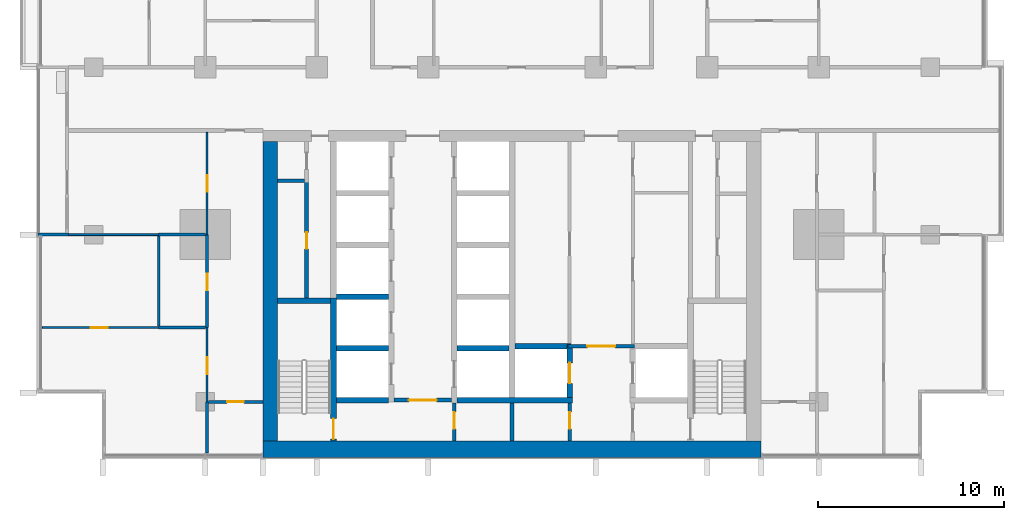
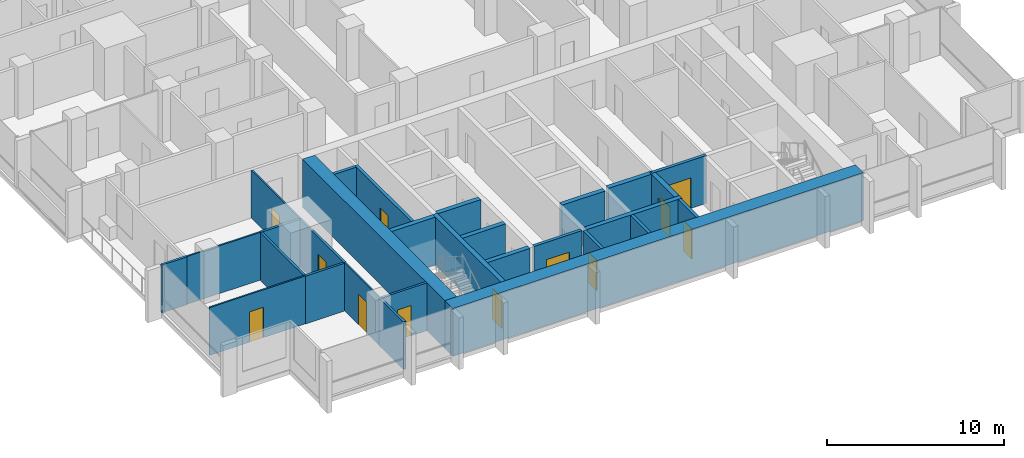
# One storey, part 7 of 19: 29 walls, 12 doors, 12 openings.
"""IFC4 building model written with IfcOpenShell, lengths in metres."""

from ifc_helpers import new_model, si_unit, direction, frame, frame_2d, origin, place, context, subcontext, project, spatial, rectangle, extrude, material, layer, layer_set, type_object, element, fill, save


model = new_model("IFC4")

# Units and contexts
model_context = context("Model", 3, precision=1e-05, world=origin(), true_north=direction((0.0, 1.0)))
body_context = subcontext(model_context, "Body", "Model", "MODEL_VIEW")
ifc_project = project(units=[si_unit("LENGTHUNIT", "METRE"), si_unit("AREAUNIT", "SQUARE_METRE"), si_unit("VOLUMEUNIT", "CUBIC_METRE"), si_unit("PLANEANGLEUNIT", "RADIAN"), si_unit("MASSUNIT", "GRAM", prefix="KILO")], contexts=[model_context])

# Site, building, storey
site_placement = place(None, origin())
site = spatial("IfcSite", under=ifc_project, at=site_placement, CompositionType="ELEMENT")
building_placement = place(site_placement, origin())
building = spatial("IfcBuilding", under=site, at=building_placement, Name="Finial Court Residences", CompositionType="ELEMENT")
storey_placement = place(building_placement, frame((0.0, 0.0, 88.300048828125)))
storey = spatial("IfcBuildingStorey", under=building, at=storey_placement, Name="L21", CompositionType="ELEMENT", Elevation=88.300048828125)

# Walls
ifc_material_1 = material(Name="Concrete C70/85", Category="concrete")
ifc_layer_1 = layer(ifc_material_1, 0.800048828125)
ifc_layer_set_1 = layer_set([ifc_layer_1], Name="Core outer wall 800 Concrete C70/85")
wall_type_1 = type_object("IfcWallType", Name="Core outer wall 800 Concrete C70/85", PredefinedType="SHEAR", material=ifc_layer_set_1)
wall_1_placement = place(storey_placement, frame((-13.0, -24.60009765625, 0.0), z_axis=(0.0, 0.0, 1.0), x_axis=(0.0, 1.0, 0.0)))
element("IfcWall", 1, at=wall_1_placement, inside=storey, type_object=wall_type_1, Name="Core outer wall L21-03", PredefinedType="SHEAR", context=body_context, shape_type="SweptSolid", body=[
    extrude(rectangle(XDim=16.10009765625, YDim=0.800048828125, at=frame_2d((8.050048828125, 0.0))), origin(), (0.0, 0.0, 1.0), 3.300048828125),
])
ifc_layer_2 = layer(ifc_material_1, 0.89990234375)
ifc_layer_set_2 = layer_set([ifc_layer_2], Name="Core south facade wall 900 Concrete C70/85")
wall_type_2 = type_object("IfcWallType", Name="Core south facade wall 900 Concrete C70/85", PredefinedType="SHEAR", material=ifc_layer_set_2)
wall_2_placement = place(storey_placement, frame((-13.39990234375, -25.050048828125, 0.0), z_axis=(0.0, 0.0, 1.0), x_axis=(1.0, 0.0, 0.0)))
element("IfcWall", 2, at=wall_2_placement, inside=storey, type_object=wall_type_2, Name="Core outer wall L21-01", PredefinedType="SHEAR", context=body_context, shape_type="SweptSolid", body=[
    extrude(rectangle(XDim=26.7998046875, YDim=0.89990234375, at=frame_2d((13.39990234375, 0.0))), origin(), (0.0, 0.0, 1.0), 3.300048828125),
])

# Wall, opening, door
ifc_material_2 = material(Name="Fire-rated gypsum board partition")
ifc_layer_3 = layer(ifc_material_2, 0.199951171875)
ifc_layer_set_3 = layer_set([ifc_layer_3], Name="Firefighting lobby wall 200 EI 120")
wall_type_3 = type_object("IfcWallType", Name="Firefighting lobby wall 200 EI 120", PredefinedType="PARTITIONING", material=ifc_layer_set_3)
wall_3_placement = place(storey_placement, frame((6.574951171875, -19.5, 0.0), z_axis=(0.0, 0.0, 1.0), x_axis=(-1.0, 0.0, 0.0)))
wall_3 = element("IfcWall", 3, at=wall_3_placement, inside=storey, type_object=wall_type_3, Name="Core partition L21-08", PredefinedType="PARTITIONING", context=body_context, shape_type="SweptSolid", body=[
    extrude(rectangle(XDim=3.550048828125, YDim=0.199951171875, at=frame_2d((1.77490234375, 0.0))), origin(), (0.0, 0.0, 1.0), 3.300048828125),
])
opening_1_placement = place(wall_3_placement, frame((1.02490234375, 0.0, 0.0)))
opening_1 = element("IfcOpeningElement", 4, at=opening_1_placement, cuts=wall_3, Name="Opening L21-C02", PredefinedType="OPENING", context=body_context, shape_type="SweptSolid", body=[
    extrude(rectangle(XDim=1.5, YDim=2.10009765625, at=frame_2d((0.75, 1.050048828125))), frame((0.0, 0.10986328125, 0.0), z_axis=(0.0, -1.0, 0.0), x_axis=(1.0, 0.0, 0.0)), (0.0, 0.0, 1.0), 0.219970703125),
])
ifc_material_3 = material(Name="Steel fire door", Category="steel")
door_type_1 = type_object("IfcDoorType", Name="Firefighting lobby door 1500 x 2100 EI 90", OperationType="DOUBLE_DOOR_SINGLE_SWING", PredefinedType="DOOR", material=ifc_material_3)
door_1_placement = place(opening_1_placement, origin())
door_1 = element("IfcDoor", 5, at=door_1_placement, inside=storey, type_object=door_type_1, Name="Firefighting lobby door L21-C02", OperationType="DOUBLE_DOOR_SINGLE_SWING", OverallHeight=2.10009765625, OverallWidth=1.5, PredefinedType="DOOR", context=body_context, shape_type="SweptSolid", body=[
    extrude(rectangle(XDim=1.5, YDim=2.10009765625, at=frame_2d((0.75, 1.050048828125))), frame((0.0, 0.02490234375, 0.0), z_axis=(0.0, -1.0, 0.0), x_axis=(1.0, 0.0, 0.0)), (0.0, 0.0, 1.0), 0.050048828125),
])
fill(opening_1, door_1)

wall_4_placement = place(storey_placement, frame((3.10009765625, -24.60009765625, 0.0), z_axis=(0.0, 0.0, 1.0), x_axis=(0.0, 1.0, 0.0)))
wall_4 = element("IfcWall", 6, at=wall_4_placement, inside=storey, type_object=wall_type_3, Name="Core partition L21-30", PredefinedType="PARTITIONING", context=body_context, shape_type="SweptSolid", body=[
    extrude(rectangle(XDim=2.050048828125, YDim=0.199951171875, at=frame_2d((1.02490234375, 0.0))), origin(), (0.0, 0.0, 1.0), 3.300048828125),
])
opening_2_placement = place(wall_4_placement, frame((0.64990234375, 0.0, 0.0)))
opening_2 = element("IfcOpeningElement", 7, at=opening_2_placement, cuts=wall_4, Name="Opening L21-C06", PredefinedType="OPENING", context=body_context, shape_type="SweptSolid", body=[
    extrude(rectangle(XDim=0.89990234375, YDim=2.10009765625, at=frame_2d((0.449951171875, 1.050048828125))), frame((0.0, 0.10986328125, 0.0), z_axis=(0.0, -1.0, 0.0), x_axis=(1.0, 0.0, 0.0)), (0.0, 0.0, 1.0), 0.219970703125),
])
door_type_2 = type_object("IfcDoorType", Name="Riser room door 900 x 2100 EI 90", OperationType="NOTDEFINED", PredefinedType="DOOR", material=ifc_material_3)
door_2_placement = place(opening_2_placement, origin())
door_2 = element("IfcDoor", 8, at=door_2_placement, inside=storey, type_object=door_type_2, Name="Riser room door L21-C06", OperationType="SINGLE_SWING_LEFT", OverallHeight=2.10009765625, OverallWidth=0.89990234375, PredefinedType="DOOR", context=body_context, shape_type="SweptSolid", body=[
    extrude(rectangle(XDim=0.89990234375, YDim=2.10009765625, at=frame_2d((0.449951171875, 1.050048828125))), frame((0.0, 0.02490234375, 0.0), z_axis=(0.0, -1.0, 0.0), x_axis=(1.0, 0.0, 0.0)), (0.0, 0.0, 1.0), 0.050048828125),
])
fill(opening_2, door_2)

ifc_material_4 = material(Name="Gypsum board")
ifc_layer_4 = layer(ifc_material_4, 0.012451171875)
ifc_material_5 = material(Name="Mineral wool in light-gauge frame")
ifc_layer_5 = layer(ifc_material_5, 0.074951171875)
ifc_layer_6 = layer(ifc_material_4, 0.012451171875)
ifc_layer_set_4 = layer_set([ifc_layer_4, ifc_layer_5, ifc_layer_6], Name="Gypsum board partition 100")
wall_type_4 = type_object("IfcWallType", Name="Gypsum board partition 100", PredefinedType="PARTITIONING", material=ifc_layer_set_4)
wall_5_placement = place(storey_placement, frame((-25.25, -18.5, 0.0), z_axis=(0.0, 0.0, 1.0), x_axis=(1.0, 0.0, 0.0)))
wall_5 = element("IfcWall", 9, at=wall_5_placement, inside=storey, type_object=wall_type_4, Name="Partition L21-002", PredefinedType="PARTITIONING", context=body_context, shape_type="SweptSolid", body=[
    extrude(rectangle(XDim=6.25, YDim=0.10009765625, at=frame_2d((3.125, 0.0))), origin(), (0.0, 0.0, 1.0), 3.300048828125),
])
opening_3_placement = place(wall_5_placement, frame((2.60009765625, 0.0, 0.0)))
opening_3 = element("IfcOpeningElement", 10, at=opening_3_placement, cuts=wall_5, Name="Opening L21-D003", PredefinedType="OPENING", context=body_context, shape_type="SweptSolid", body=[
    extrude(rectangle(XDim=0.89990234375, YDim=2.10009765625, at=frame_2d((0.449951171875, 1.050048828125))), frame((0.0, 0.06005859375, 0.0), z_axis=(0.0, -1.0, 0.0), x_axis=(1.0, 0.0, 0.0)), (0.0, 0.0, 1.0), 0.1201171875),
])
ifc_material_6 = material(Name="Timber door leaf in timber frame", Category="wood")
door_type_3 = type_object("IfcDoorType", Name="Door set 900 x 2100", OperationType="SINGLE_SWING_LEFT", PredefinedType="DOOR", material=ifc_material_6)
door_3_placement = place(opening_3_placement, origin())
door_3 = element("IfcDoor", 11, at=door_3_placement, inside=storey, type_object=door_type_3, Name="Door L21-D003", OperationType="SINGLE_SWING_LEFT", OverallHeight=2.10009765625, OverallWidth=0.89990234375, PredefinedType="DOOR", context=body_context, shape_type="SweptSolid", body=[
    extrude(rectangle(XDim=0.89990234375, YDim=2.10009765625, at=frame_2d((0.449951171875, 1.050048828125))), frame((0.0, 0.02490234375, 0.0), z_axis=(0.0, -1.0, 0.0), x_axis=(1.0, 0.0, 0.0)), (0.0, 0.0, 1.0), 0.050048828125),
])
fill(opening_3, door_3)

# Wall
wall_6_placement = place(storey_placement, frame((-23.85009765625, -13.5, 0.0), z_axis=(0.0, 0.0, 1.0), x_axis=(1.0, 0.0, 0.0)))
element("IfcWall", 12, at=wall_6_placement, inside=storey, type_object=wall_type_4, Name="Partition L21-005", PredefinedType="PARTITIONING", context=body_context, shape_type="SweptSolid", body=[
    extrude(rectangle(XDim=4.85009765625, YDim=0.10009765625, at=frame_2d((2.425048828125, 0.0))), origin(), (0.0, 0.0, 1.0), 3.300048828125),
])

# Wall, opening, door
wall_7_placement = place(storey_placement, frame((-16.39990234375, -22.5, 0.0), z_axis=(0.0, 0.0, 1.0), x_axis=(0.0, 1.0, 0.0)))
wall_7 = element("IfcWall", 13, at=wall_7_placement, inside=storey, type_object=wall_type_4, Name="Partition L21-049", PredefinedType="PARTITIONING", context=body_context, shape_type="SweptSolid", body=[
    extrude(rectangle(XDim=4.0, YDim=0.10009765625, at=frame_2d((2.0, 0.0))), origin(), (0.0, 0.0, 1.0), 3.300048828125),
])
opening_4_placement = place(wall_7_placement, frame((1.5, 0.0, 0.0)))
opening_4 = element("IfcOpeningElement", 14, at=opening_4_placement, cuts=wall_7, Name="Opening L21-D036", PredefinedType="OPENING", context=body_context, shape_type="SweptSolid", body=[
    extrude(rectangle(XDim=0.89990234375, YDim=2.10009765625, at=frame_2d((0.449951171875, 1.050048828125))), frame((0.0, 0.06005859375, 0.0), z_axis=(0.0, -1.0, 0.0), x_axis=(1.0, 0.0, 0.0)), (0.0, 0.0, 1.0), 0.1201171875),
])
door_4_placement = place(opening_4_placement, origin())
door_4 = element("IfcDoor", 15, at=door_4_placement, inside=storey, type_object=door_type_3, Name="Door L21-D036", OperationType="SINGLE_SWING_RIGHT", OverallHeight=2.10009765625, OverallWidth=0.89990234375, PredefinedType="DOOR", context=body_context, shape_type="SweptSolid", body=[
    extrude(rectangle(XDim=0.89990234375, YDim=2.10009765625, at=frame_2d((0.449951171875, 1.050048828125))), frame((0.0, 0.02490234375, 0.0), z_axis=(0.0, -1.0, 0.0), x_axis=(1.0, 0.0, 0.0)), (0.0, 0.0, 1.0), 0.050048828125),
])
fill(opening_4, door_4)

wall_8_placement = place(storey_placement, frame((-16.39990234375, -13.5, 0.0), z_axis=(0.0, 0.0, 1.0), x_axis=(0.0, 1.0, 0.0)))
wall_8 = element("IfcWall", 16, at=wall_8_placement, inside=storey, type_object=wall_type_4, Name="Partition L21-050", PredefinedType="PARTITIONING", context=body_context, shape_type="SweptSolid", body=[
    extrude(rectangle(XDim=5.5, YDim=0.10009765625, at=frame_2d((2.75, 0.0))), origin(), (0.0, 0.0, 1.0), 3.300048828125),
])
opening_5_placement = place(wall_8_placement, frame((2.300048828125, 0.0, 0.0)))
opening_5 = element("IfcOpeningElement", 17, at=opening_5_placement, cuts=wall_8, Name="Opening L21-D037", PredefinedType="OPENING", context=body_context, shape_type="SweptSolid", body=[
    extrude(rectangle(XDim=0.89990234375, YDim=2.10009765625, at=frame_2d((0.449951171875, 1.050048828125))), frame((0.0, 0.06005859375, 0.0), z_axis=(0.0, -1.0, 0.0), x_axis=(1.0, 0.0, 0.0)), (0.0, 0.0, 1.0), 0.1201171875),
])
door_5_placement = place(opening_5_placement, origin())
door_5 = element("IfcDoor", 18, at=door_5_placement, inside=storey, type_object=door_type_3, Name="Door L21-D037", OperationType="SINGLE_SWING_LEFT", OverallHeight=2.10009765625, OverallWidth=0.89990234375, PredefinedType="DOOR", context=body_context, shape_type="SweptSolid", body=[
    extrude(rectangle(XDim=0.89990234375, YDim=2.10009765625, at=frame_2d((0.449951171875, 1.050048828125))), frame((0.0, 0.02490234375, 0.0), z_axis=(0.0, -1.0, 0.0), x_axis=(1.0, 0.0, 0.0)), (0.0, 0.0, 1.0), 0.050048828125),
])
fill(opening_5, door_5)

ifc_material_7 = material(Name="Moisture-resistant gypsum board")
ifc_layer_7 = layer(ifc_material_7, 0.012451171875)
ifc_layer_8 = layer(ifc_material_5, 0.125)
ifc_layer_9 = layer(ifc_material_7, 0.012451171875)
ifc_layer_set_5 = layer_set([ifc_layer_7, ifc_layer_8, ifc_layer_9], Name="Gypsum board wet-area partition 150")
wall_type_5 = type_object("IfcWallType", Name="Gypsum board wet-area partition 150", PredefinedType="PARTITIONING", material=ifc_layer_set_5)
wall_9_placement = place(storey_placement, frame((-16.324951171875, -22.5, 0.0), z_axis=(0.0, 0.0, 1.0), x_axis=(1.0, 0.0, 0.0)))
wall_9 = element("IfcWall", 19, at=wall_9_placement, inside=storey, type_object=wall_type_5, Name="Partition L21-000", PredefinedType="PARTITIONING", context=body_context, shape_type="SweptSolid", body=[
    extrude(rectangle(XDim=2.925048828125, YDim=0.14990234375, at=frame_2d((1.46240234375, 0.0))), origin(), (0.0, 0.0, 1.0), 3.300048828125),
])
opening_6_placement = place(wall_9_placement, frame((1.0, 0.0, 0.0)))
opening_6 = element("IfcOpeningElement", 20, at=opening_6_placement, cuts=wall_9, Name="Opening L21-D001", PredefinedType="OPENING", context=body_context, shape_type="SweptSolid", body=[
    extrude(rectangle(XDim=0.89990234375, YDim=2.10009765625, at=frame_2d((0.449951171875, 1.050048828125))), frame((0.0, 0.0849609375, 0.0), z_axis=(0.0, -1.0, 0.0), x_axis=(1.0, 0.0, 0.0)), (0.0, 0.0, 1.0), 0.169921875),
])
door_6_placement = place(opening_6_placement, origin())
door_6 = element("IfcDoor", 21, at=door_6_placement, inside=storey, type_object=door_type_3, Name="Door L21-D001", OperationType="SINGLE_SWING_LEFT", OverallHeight=2.10009765625, OverallWidth=0.89990234375, PredefinedType="DOOR", context=body_context, shape_type="SweptSolid", body=[
    extrude(rectangle(XDim=0.89990234375, YDim=2.10009765625, at=frame_2d((0.449951171875, 1.050048828125))), frame((0.0, 0.02490234375, 0.0), z_axis=(0.0, -1.0, 0.0), x_axis=(1.0, 0.0, 0.0)), (0.0, 0.0, 1.0), 0.050048828125),
])
fill(opening_6, door_6)

# Walls
for number, where, z_axis, x_axis, name in (
    (22, (-19.0, -18.5, 0.0), (0.0, 0.0, 1.0), (1.0, 0.0, 0.0), "Partition L21-003"),
    (23, (-19.0, -13.5, 0.0), (0.0, 0.0, 1.0), (1.0, 0.0, 0.0), "Partition L21-007"),
):
    element("IfcWall", number, at=place(storey_placement, frame(where, z_axis=z_axis, x_axis=x_axis)), inside=storey, type_object=wall_type_5, Name=name, PredefinedType="PARTITIONING", context=body_context, shape_type="SweptSolid", body=[
        extrude(rectangle(XDim=2.52490234375, YDim=0.14990234375, at=frame_2d((1.262451171875, 0.0))), origin(), (0.0, 0.0, 1.0), 3.300048828125),
    ])
wall_10_placement = place(storey_placement, frame((-19.0, -18.425048828125, 0.0), z_axis=(0.0, 0.0, 1.0), x_axis=(0.0, 1.0, 0.0)))
element("IfcWall", 24, at=wall_10_placement, inside=storey, type_object=wall_type_5, Name="Partition L21-042", PredefinedType="PARTITIONING", context=body_context, shape_type="SweptSolid", body=[
    extrude(rectangle(XDim=4.85009765625, YDim=0.14990234375, at=frame_2d((2.425048828125, 0.0))), origin(), (0.0, 0.0, 1.0), 3.300048828125),
])
wall_11_placement = place(storey_placement, frame((-16.39990234375, -25.25, 0.0), z_axis=(0.0, 0.0, 1.0), x_axis=(0.0, 1.0, 0.0)))
element("IfcWall", 25, at=wall_11_placement, inside=storey, type_object=wall_type_5, Name="Partition L21-051", PredefinedType="PARTITIONING", context=body_context, shape_type="SweptSolid", body=[
    extrude(rectangle(XDim=2.75, YDim=0.14990234375, at=frame_2d((1.375, 0.0))), origin(), (0.0, 0.0, 1.0), 3.300048828125),
])

# Wall, opening, door
wall_12_placement = place(storey_placement, frame((-16.39990234375, -18.5, 0.0), z_axis=(0.0, 0.0, 1.0), x_axis=(0.0, 1.0, 0.0)))
wall_12 = element("IfcWall", 26, at=wall_12_placement, inside=storey, type_object=wall_type_5, Name="Partition L21-052", PredefinedType="PARTITIONING", context=body_context, shape_type="SweptSolid", body=[
    extrude(rectangle(XDim=5.0, YDim=0.14990234375, at=frame_2d((2.5, 0.0))), origin(), (0.0, 0.0, 1.0), 3.300048828125),
])
opening_7_placement = place(wall_12_placement, frame((2.0, 0.0, 0.0)))
opening_7 = element("IfcOpeningElement", 27, at=opening_7_placement, cuts=wall_12, Name="Opening L21-D038", PredefinedType="OPENING", context=body_context, shape_type="SweptSolid", body=[
    extrude(rectangle(XDim=0.89990234375, YDim=2.10009765625, at=frame_2d((0.449951171875, 1.050048828125))), frame((0.0, 0.0849609375, 0.0), z_axis=(0.0, -1.0, 0.0), x_axis=(1.0, 0.0, 0.0)), (0.0, 0.0, 1.0), 0.169921875),
])
door_7_placement = place(opening_7_placement, origin())
door_7 = element("IfcDoor", 28, at=door_7_placement, inside=storey, type_object=door_type_3, Name="Door L21-D038", OperationType="SINGLE_SWING_LEFT", OverallHeight=2.10009765625, OverallWidth=0.89990234375, PredefinedType="DOOR", context=body_context, shape_type="SweptSolid", body=[
    extrude(rectangle(XDim=0.89990234375, YDim=2.10009765625, at=frame_2d((0.449951171875, 1.050048828125))), frame((0.0, 0.02490234375, 0.0), z_axis=(0.0, -1.0, 0.0), x_axis=(1.0, 0.0, 0.0)), (0.0, 0.0, 1.0), 0.050048828125),
])
fill(opening_7, door_7)

# Walls
ifc_layer_10 = layer(ifc_material_1, 0.300048828125)
ifc_layer_set_6 = layer_set([ifc_layer_10], Name="Lift shaft and stair wall 300 Concrete C70/85")
wall_type_6 = type_object("IfcWallType", Name="Lift shaft and stair wall 300 Concrete C70/85", PredefinedType="SHEAR", material=ifc_layer_set_6)
wall_13_placement = place(storey_placement, frame((-9.449951171875, -22.39990234375, 0.0), z_axis=(0.0, 0.0, 1.0), x_axis=(1.0, 0.0, 0.0)))
element("IfcWall", 29, at=wall_13_placement, inside=storey, type_object=wall_type_6, Name="Core wall L21-01", PredefinedType="SHEAR", context=body_context, shape_type="SweptSolid", body=[
    extrude(rectangle(XDim=2.800048828125, YDim=0.300048828125, at=frame_2d((1.39990234375, 0.0))), origin(), (0.0, 0.0, 1.0), 3.300048828125),
])
wall_14_placement = place(storey_placement, frame((-2.949951171875, -22.39990234375, 0.0), z_axis=(0.0, 0.0, 1.0), x_axis=(1.0, 0.0, 0.0)))
element("IfcWall", 30, at=wall_14_placement, inside=storey, type_object=wall_type_6, Name="Core wall L21-03", PredefinedType="SHEAR", context=body_context, shape_type="SweptSolid", body=[
    extrude(rectangle(XDim=6.199951171875, YDim=0.300048828125, at=frame_2d((3.10009765625, 0.0))), origin(), (0.0, 0.0, 1.0), 3.300048828125),
])
for number, where, z_axis, x_axis, name in (
    (31, (-9.449951171875, -19.6201171875, 0.0), (0.0, 0.0, 1.0), (1.0, 0.0, 0.0), "Core wall L21-05"),
    (32, (-2.949951171875, -19.6201171875, 0.0), (0.0, 0.0, 1.0), (1.0, 0.0, 0.0), "Core wall L21-06"),
):
    element("IfcWall", number, at=place(storey_placement, frame(where, z_axis=z_axis, x_axis=x_axis)), inside=storey, type_object=wall_type_6, Name=name, PredefinedType="SHEAR", context=body_context, shape_type="SweptSolid", body=[
        extrude(rectangle(XDim=2.800048828125, YDim=0.300048828125, at=frame_2d((1.39990234375, 0.0))), origin(), (0.0, 0.0, 1.0), 3.300048828125),
    ])
wall_15_placement = place(storey_placement, frame((0.14990234375, -19.5, 0.0), z_axis=(0.0, 0.0, 1.0), x_axis=(1.0, 0.0, 0.0)))
element("IfcWall", 33, at=wall_15_placement, inside=storey, type_object=wall_type_6, Name="Core wall L21-07", PredefinedType="SHEAR", context=body_context, shape_type="SweptSolid", body=[
    extrude(rectangle(XDim=3.025146484375, YDim=0.300048828125, at=frame_2d((1.5126953125, 0.0))), origin(), (0.0, 0.0, 1.0), 3.300048828125),
])
wall_16_placement = place(storey_placement, frame((-12.60009765625, -17.050048828125, 0.0), z_axis=(0.0, 0.0, 1.0), x_axis=(1.0, 0.0, 0.0)))
element("IfcWall", 34, at=wall_16_placement, inside=storey, type_object=wall_type_6, Name="Core wall L21-10", PredefinedType="SHEAR", context=body_context, shape_type="SweptSolid", body=[
    extrude(rectangle(XDim=2.85009765625, YDim=0.300048828125, at=frame_2d((1.425048828125, 0.0))), origin(), (0.0, 0.0, 1.0), 3.300048828125),
])
wall_17_placement = place(storey_placement, frame((-9.449951171875, -16.840087890625, 0.0), z_axis=(0.0, 0.0, 1.0), x_axis=(1.0, 0.0, 0.0)))
element("IfcWall", 35, at=wall_17_placement, inside=storey, type_object=wall_type_6, Name="Core wall L21-12", PredefinedType="SHEAR", context=body_context, shape_type="SweptSolid", body=[
    extrude(rectangle(XDim=2.800048828125, YDim=0.300048828125, at=frame_2d((1.39990234375, 0.0))), origin(), (0.0, 0.0, 1.0), 3.300048828125),
])

# Wall, opening, door
wall_18_placement = place(storey_placement, frame((-9.60009765625, -24.60009765625, 0.0), z_axis=(0.0, 0.0, 1.0), x_axis=(0.0, 1.0, 0.0)))
wall_18 = element("IfcWall", 36, at=wall_18_placement, inside=storey, type_object=wall_type_6, Name="Core wall L21-23", PredefinedType="SHEAR", context=body_context, shape_type="SweptSolid", body=[
    extrude(rectangle(XDim=7.7001953125, YDim=0.300048828125, at=frame_2d((3.85009765625, 0.0))), origin(), (0.0, 0.0, 1.0), 3.300048828125),
])
opening_8_placement = place(wall_18_placement, frame((0.10009765625, 0.0, 0.0)))
opening_8 = element("IfcOpeningElement", 37, at=opening_8_placement, cuts=wall_18, Name="Opening L21-C17", PredefinedType="OPENING", context=body_context, shape_type="SweptSolid", body=[
    extrude(rectangle(XDim=1.10009765625, YDim=2.10009765625, at=frame_2d((0.550048828125, 1.050048828125))), frame((0.0, 0.159912109375, 0.0), z_axis=(0.0, -1.0, 0.0), x_axis=(1.0, 0.0, 0.0)), (0.0, 0.0, 1.0), 0.320068359375),
])
door_type_4 = type_object("IfcDoorType", Name="Stair door 1100 x 2100 EI 90", OperationType="NOTDEFINED", PredefinedType="DOOR", material=ifc_material_3)
door_8_placement = place(opening_8_placement, origin())
door_8 = element("IfcDoor", 38, at=door_8_placement, inside=storey, type_object=door_type_4, Name="Stair door L21-C17", OperationType="SINGLE_SWING_LEFT", OverallHeight=2.10009765625, OverallWidth=1.10009765625, PredefinedType="DOOR", context=body_context, shape_type="SweptSolid", body=[
    extrude(rectangle(XDim=1.10009765625, YDim=2.10009765625, at=frame_2d((0.550048828125, 1.050048828125))), frame((0.0, 0.02490234375, 0.0), z_axis=(0.0, -1.0, 0.0), x_axis=(1.0, 0.0, 0.0)), (0.0, 0.0, 1.0), 0.050048828125),
])
fill(opening_8, door_8)

wall_19_placement = place(storey_placement, frame((3.10009765625, -22.25, 0.0), z_axis=(0.0, 0.0, 1.0), x_axis=(0.0, 1.0, 0.0)))
wall_19 = element("IfcWall", 39, at=wall_19_placement, inside=storey, type_object=wall_type_6, Name="Core wall L21-31", PredefinedType="SHEAR", context=body_context, shape_type="SweptSolid", body=[
    extrude(rectangle(XDim=2.85009765625, YDim=0.300048828125, at=frame_2d((1.425048828125, 0.0))), origin(), (0.0, 0.0, 1.0), 3.300048828125),
])
opening_9_placement = place(wall_19_placement, frame((0.75, 0.0, 0.0)))
opening_9 = element("IfcOpeningElement", 40, at=opening_9_placement, cuts=wall_19, Name="Opening L21-LD01", PredefinedType="OPENING", context=body_context, shape_type="SweptSolid", body=[
    extrude(rectangle(XDim=1.10009765625, YDim=2.10009765625, at=frame_2d((0.550048828125, 1.050048828125))), frame((0.0, 0.159912109375, 0.0), z_axis=(0.0, -1.0, 0.0), x_axis=(1.0, 0.0, 0.0)), (0.0, 0.0, 1.0), 0.320068359375),
])
ifc_material_8 = material(Name="Stainless steel lift door", Category="steel")
door_type_5 = type_object("IfcDoorType", Name="Lift landing door 1100 x 2100 EI 90", OperationType="DOUBLE_DOOR_SLIDING", PredefinedType="DOOR", material=ifc_material_8)
door_9_placement = place(opening_9_placement, origin())
door_9 = element("IfcDoor", 41, at=door_9_placement, inside=storey, type_object=door_type_5, Name="Lift landing door FF1 L21", OperationType="DOUBLE_DOOR_SLIDING", OverallHeight=2.10009765625, OverallWidth=1.10009765625, PredefinedType="DOOR", context=body_context, shape_type="SweptSolid", body=[
    extrude(rectangle(XDim=1.10009765625, YDim=2.10009765625, at=frame_2d((0.550048828125, 1.050048828125))), frame((0.0, 0.02490234375, 0.0), z_axis=(0.0, -1.0, 0.0), x_axis=(1.0, 0.0, 0.0)), (0.0, 0.0, 1.0), 0.050048828125),
])
fill(opening_9, door_9)

# Walls
ifc_material_9 = material(Name="Natural limestone", Category="masonry")
ifc_layer_11 = layer(ifc_material_9, 0.14990234375)
ifc_layer_set_7 = layer_set([ifc_layer_11], Name="Limestone clad wall 150")
wall_type_7 = type_object("IfcWallType", Name="Limestone clad wall 150", PredefinedType="SOLIDWALL", material=ifc_layer_set_7)
wall_20_placement = place(storey_placement, frame((-23.85009765625, -13.5, 0.0), z_axis=(0.0, 0.0, 1.0), x_axis=(-1.0, 0.0, 0.0)))
element("IfcWall", 42, at=wall_20_placement, inside=storey, type_object=wall_type_7, Name="E-L21-BALW2-P1", PredefinedType="SOLIDWALL", context=body_context, shape_type="SweptSolid", body=[
    extrude(rectangle(XDim=1.64990234375, YDim=0.14990234375, at=frame_2d((0.824951171875, 0.0))), origin(), (0.0, 0.0, 1.0), 3.300048828125),
])
ifc_layer_12 = layer(ifc_material_2, 0.199951171875)
ifc_layer_set_8 = layer_set([ifc_layer_12], Name="Riser room wall 200 EI 120")
wall_type_8 = type_object("IfcWallType", Name="Riser room wall 200 EI 120", PredefinedType="PARTITIONING", material=ifc_layer_set_8)
wall_21_placement = place(storey_placement, frame((-12.60009765625, -10.60009765625, 0.0), z_axis=(0.0, 0.0, 1.0), x_axis=(1.0, 0.0, 0.0)))
element("IfcWall", 43, at=wall_21_placement, inside=storey, type_object=wall_type_8, Name="Core partition L21-20", PredefinedType="PARTITIONING", context=body_context, shape_type="SweptSolid", body=[
    extrude(rectangle(XDim=1.4501953125, YDim=0.199951171875, at=frame_2d((0.72509765625, 0.0))), origin(), (0.0, 0.0, 1.0), 3.300048828125),
])
wall_22_placement = place(storey_placement, frame((0.0, -24.60009765625, 0.0), z_axis=(0.0, 0.0, 1.0), x_axis=(0.0, 1.0, 0.0)))
element("IfcWall", 44, at=wall_22_placement, inside=storey, type_object=wall_type_8, Name="Core partition L21-28", PredefinedType="PARTITIONING", context=body_context, shape_type="SweptSolid", body=[
    extrude(rectangle(XDim=2.050048828125, YDim=0.199951171875, at=frame_2d((1.02490234375, 0.0))), origin(), (0.0, 0.0, 1.0), 3.300048828125),
])

# Wall, opening, door
ifc_layer_13 = layer(ifc_material_2, 0.199951171875)
ifc_layer_set_9 = layer_set([ifc_layer_13], Name="Stair passage wall 200 EI 180")
wall_type_9 = type_object("IfcWallType", Name="Stair passage wall 200 EI 180", PredefinedType="PARTITIONING", material=ifc_layer_set_9)
wall_23_placement = place(storey_placement, frame((-3.25, -22.39990234375, 0.0), z_axis=(0.0, 0.0, 1.0), x_axis=(-1.0, 0.0, 0.0)))
wall_23 = element("IfcWall", 45, at=wall_23_placement, inside=storey, type_object=wall_type_9, Name="Core partition L21-02", PredefinedType="PARTITIONING", context=body_context, shape_type="SweptSolid", body=[
    extrude(rectangle(XDim=3.10009765625, YDim=0.199951171875, at=frame_2d((1.550048828125, 0.0))), origin(), (0.0, 0.0, 1.0), 3.300048828125),
])
opening_10_placement = place(wall_23_placement, frame((0.800048828125, 0.0, 0.0)))
opening_10 = element("IfcOpeningElement", 46, at=opening_10_placement, cuts=wall_23, Name="Opening L21-C03", PredefinedType="OPENING", context=body_context, shape_type="SweptSolid", body=[
    extrude(rectangle(XDim=1.5, YDim=2.10009765625, at=frame_2d((0.75, 1.050048828125))), frame((0.0, 0.10986328125, 0.0), z_axis=(0.0, -1.0, 0.0), x_axis=(1.0, 0.0, 0.0)), (0.0, 0.0, 1.0), 0.219970703125),
])
door_type_6 = type_object("IfcDoorType", Name="Lift lobby door 1500 x 2100 EI 60", OperationType="DOUBLE_DOOR_SINGLE_SWING", PredefinedType="DOOR", material=ifc_material_3)
door_10_placement = place(opening_10_placement, origin())
door_10 = element("IfcDoor", 47, at=door_10_placement, inside=storey, type_object=door_type_6, Name="Lift lobby door L21-C03", OperationType="DOUBLE_DOOR_SINGLE_SWING", OverallHeight=2.10009765625, OverallWidth=1.5, PredefinedType="DOOR", context=body_context, shape_type="SweptSolid", body=[
    extrude(rectangle(XDim=1.5, YDim=2.10009765625, at=frame_2d((0.75, 1.050048828125))), frame((0.0, 0.02490234375, 0.0), z_axis=(0.0, -1.0, 0.0), x_axis=(1.0, 0.0, 0.0)), (0.0, 0.0, 1.0), 0.050048828125),
])
fill(opening_10, door_10)

wall_24_placement = place(storey_placement, frame((-11.050048828125, -16.89990234375, 0.0), z_axis=(0.0, 0.0, 1.0), x_axis=(0.0, 1.0, 0.0)))
wall_24 = element("IfcWall", 48, at=wall_24_placement, inside=storey, type_object=wall_type_9, Name="Core partition L21-21", PredefinedType="PARTITIONING", context=body_context, shape_type="SweptSolid", body=[
    extrude(rectangle(XDim=6.39990234375, YDim=0.199951171875, at=frame_2d((3.199951171875, 0.0))), origin(), (0.0, 0.0, 1.0), 3.300048828125),
])
opening_11_placement = place(wall_24_placement, frame((2.625, 0.0, 0.0)))
opening_11 = element("IfcOpeningElement", 49, at=opening_11_placement, cuts=wall_24, Name="Opening L21-C12", PredefinedType="OPENING", context=body_context, shape_type="SweptSolid", body=[
    extrude(rectangle(XDim=0.89990234375, YDim=2.10009765625, at=frame_2d((0.449951171875, 1.050048828125))), frame((0.0, 0.10986328125, 0.0), z_axis=(0.0, -1.0, 0.0), x_axis=(1.0, 0.0, 0.0)), (0.0, 0.0, 1.0), 0.219970703125),
])
door_type_7 = type_object("IfcDoorType", Name="Core room door 900 x 2100 EI 60", OperationType="NOTDEFINED", PredefinedType="DOOR", material=ifc_material_3)
door_11_placement = place(opening_11_placement, origin())
door_11 = element("IfcDoor", 50, at=door_11_placement, inside=storey, type_object=door_type_7, Name="Core room door L21-C12", OperationType="SINGLE_SWING_RIGHT", OverallHeight=2.10009765625, OverallWidth=0.89990234375, PredefinedType="DOOR", context=body_context, shape_type="SweptSolid", body=[
    extrude(rectangle(XDim=0.89990234375, YDim=2.10009765625, at=frame_2d((0.449951171875, 1.050048828125))), frame((0.0, 0.02490234375, 0.0), z_axis=(0.0, -1.0, 0.0), x_axis=(1.0, 0.0, 0.0)), (0.0, 0.0, 1.0), 0.050048828125),
])
fill(opening_11, door_11)

wall_25_placement = place(storey_placement, frame((-3.10009765625, -22.550048828125, 0.0), z_axis=(0.0, 0.0, 1.0), x_axis=(0.0, -1.0, 0.0)))
wall_25 = element("IfcWall", 51, at=wall_25_placement, inside=storey, type_object=wall_type_9, Name="Core partition L21-26", PredefinedType="PARTITIONING", context=body_context, shape_type="SweptSolid", body=[
    extrude(rectangle(XDim=2.050048828125, YDim=0.199951171875, at=frame_2d((1.02490234375, 0.0))), origin(), (0.0, 0.0, 1.0), 3.300048828125),
])
opening_12_placement = place(wall_25_placement, frame((0.5, 0.0, 0.0)))
opening_12 = element("IfcOpeningElement", 52, at=opening_12_placement, cuts=wall_25, Name="Opening L21-C11", PredefinedType="OPENING", context=body_context, shape_type="SweptSolid", body=[
    extrude(rectangle(XDim=0.89990234375, YDim=2.10009765625, at=frame_2d((0.449951171875, 1.050048828125))), frame((0.0, 0.10986328125, 0.0), z_axis=(0.0, -1.0, 0.0), x_axis=(1.0, 0.0, 0.0)), (0.0, 0.0, 1.0), 0.219970703125),
])
door_12_placement = place(opening_12_placement, origin())
door_12 = element("IfcDoor", 53, at=door_12_placement, inside=storey, type_object=door_type_7, Name="Core room door L21-C11", OperationType="SINGLE_SWING_RIGHT", OverallHeight=2.10009765625, OverallWidth=0.89990234375, PredefinedType="DOOR", context=body_context, shape_type="SweptSolid", body=[
    extrude(rectangle(XDim=0.89990234375, YDim=2.10009765625, at=frame_2d((0.449951171875, 1.050048828125))), frame((0.0, 0.02490234375, 0.0), z_axis=(0.0, -1.0, 0.0), x_axis=(1.0, 0.0, 0.0)), (0.0, 0.0, 1.0), 0.050048828125),
])
fill(opening_12, door_12)

save(model, "model.ifc")
